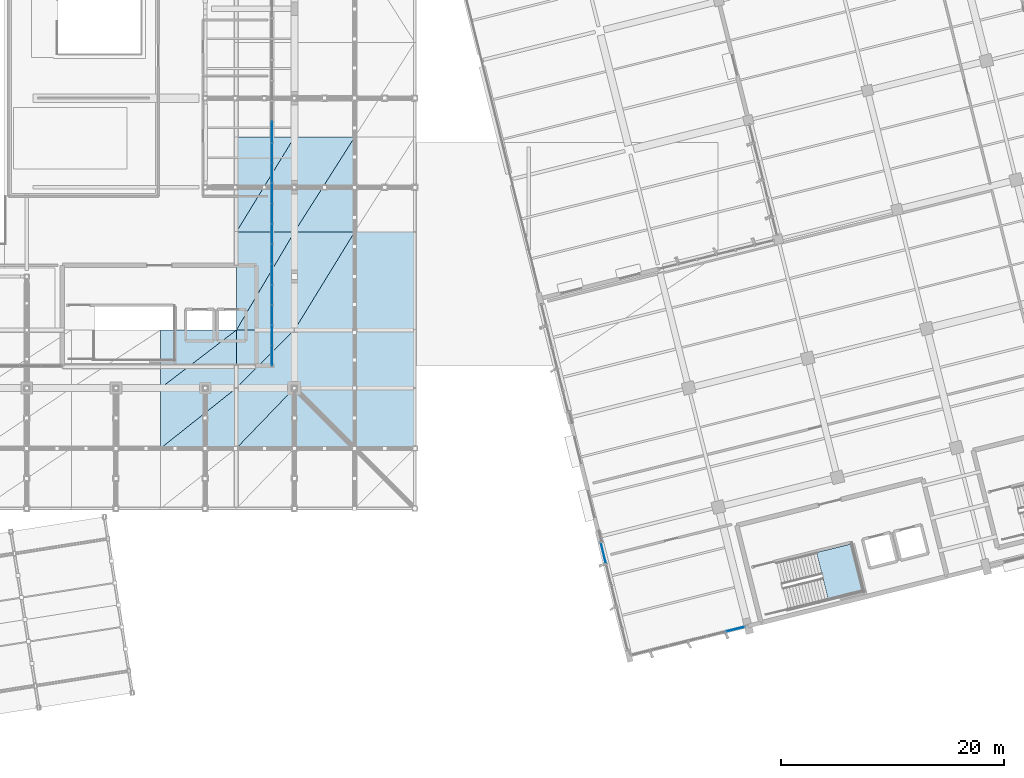
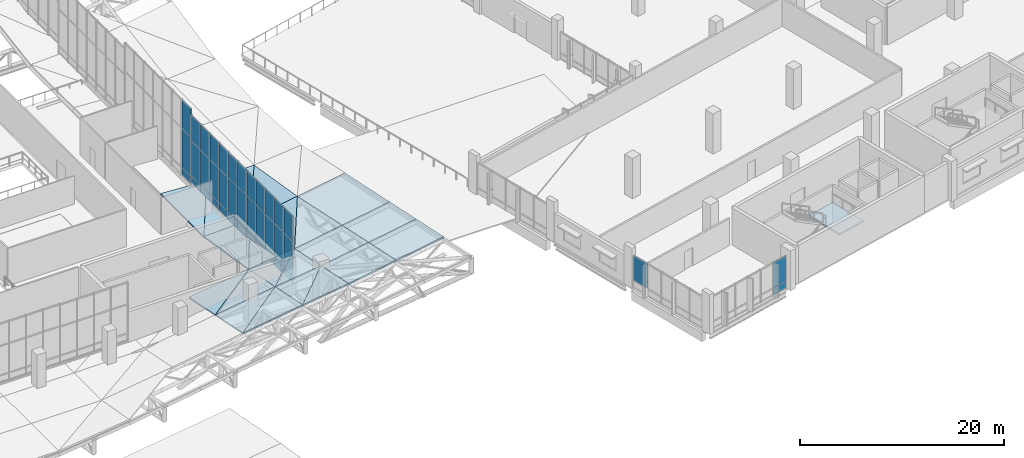
# One storey, part 109 of 137: 39 plates, 22 slabs, 6 elements without a shape of their own.
"""IFC4 building model written with IfcOpenShell, lengths in metres."""

import ifcopenshell
import ifcopenshell.guid

model = None  # the IFC model being written
_history = None  # IfcOwnerHistory: only IFC2X3 demands one
_inside = {}  # id of a spatial element -> (the spatial element, [elements in it])
_under = {}  # id of a project, library or spatial element -> (it, [spatial elements below it])
_declared = {}  # id of a project -> (the project, [libraries it declares])
_typed = {}  # id of a type object -> (the type object, [elements of that type])
_made_of = {}  # id of a material, layer set ... -> (it, [elements and type objects made of it])


def new_model(schema):
    """Start an empty IFC model of exactly this schema.

    Asked for "IFC4X3", IfcOpenShell would pick the latest addendum, in which some entities
    have other attributes; the version numbers below select the first issue.
    IFC2X3 requires an IfcOwnerHistory on every rooted entity: one is made here for all.
    """
    global model, _history
    if schema == "IFC4X3":
        model = ifcopenshell.file(schema_version=(4, 3, 0, 0))
    else:
        model = ifcopenshell.file(schema=schema)
    _inside.clear()
    _under.clear()
    _declared.clear()
    _typed.clear()
    _made_of.clear()
    _history = None
    if model.schema == "IFC2X3":
        org = make("IfcOrganization", Name="unknown")
        user = make(
            "IfcPersonAndOrganization",
            ThePerson=make("IfcPerson", FamilyName="unknown"),
            TheOrganization=org,
        )
        app = make(
            "IfcApplication",
            ApplicationDeveloper=org,
            Version="unknown",
            ApplicationFullName="unknown",
            ApplicationIdentifier="unknown",
        )
        _history = make(
            "IfcOwnerHistory",
            OwningUser=user,
            OwningApplication=app,
            ChangeAction="ADDED",
            CreationDate=0,
        )
    return model


def make(cls, **values):
    """One entity of the class cls with the attributes given. An attribute that is None is left unset."""
    return model.create_entity(
        cls, **{name: value for name, value in values.items() if value is not None}
    )


def rooted(cls, **values):
    """An entity with a GlobalId (a new one), such as an element, a storey or a relation."""
    return make(cls, GlobalId=ifcopenshell.guid.new(), OwnerHistory=_history, **values)


def si_unit(unit_type, name, prefix=None):
    """IfcSIUnit, for example si_unit("LENGTHUNIT", "METRE", prefix="MILLI")."""
    return make("IfcSIUnit", UnitType=unit_type, Prefix=prefix, Name=name)


def assignment(units):
    """IfcUnitAssignment: the units of a project."""
    return None if units is None else make("IfcUnitAssignment", Units=units)


def point(xyz):
    """IfcCartesianPoint."""
    return None if xyz is None else make("IfcCartesianPoint", Coordinates=xyz)


def direction(xyz):
    """IfcDirection."""
    return None if xyz is None else make("IfcDirection", DirectionRatios=xyz)


def frame(location, z_axis=None, x_axis=None):
    """IfcAxis2Placement3D, a coordinate frame: its origin and axes. An axis left out is left unset."""
    return make(
        "IfcAxis2Placement3D",
        Location=point(location),
        Axis=direction(z_axis),
        RefDirection=direction(x_axis),
    )


def frame_2d(location, x_axis=None):
    """IfcAxis2Placement2D, a coordinate frame in the plane: its origin and x axis."""
    return make(
        "IfcAxis2Placement2D", Location=point(location), RefDirection=direction(x_axis)
    )


def origin():
    """The frame at (0, 0, 0) with its axes left unset."""
    return frame((0.0, 0.0, 0.0))


def origin_2d():
    """The frame at (0, 0) in the plane with its x axis left unset."""
    return frame_2d((0.0, 0.0))


def place(relative_to, where):
    """IfcLocalPlacement: puts the frame where relative to a parent placement (None: the world)."""
    return make(
        "IfcLocalPlacement", PlacementRelTo=relative_to, RelativePlacement=where
    )


def context(
    kind, dimensions, precision=None, world=None, true_north=None, identifier=None
):
    """IfcGeometricRepresentationContext, for example the 3D "Model" context."""
    return make(
        "IfcGeometricRepresentationContext",
        ContextIdentifier=identifier,
        ContextType=kind,
        CoordinateSpaceDimension=dimensions,
        Precision=precision,
        WorldCoordinateSystem=world,
        TrueNorth=true_north,
    )


def subcontext(parent, identifier, kind, view, scale=None):
    """IfcGeometricRepresentationSubContext, for example "Body" below "Model"."""
    return make(
        "IfcGeometricRepresentationSubContext",
        ContextIdentifier=identifier,
        ContextType=kind,
        ParentContext=parent,
        TargetScale=scale,
        TargetView=view,
    )


def project(units=None, contexts=None):
    """IfcProject with its units and contexts."""
    return rooted(
        "IfcProject",
        Name="project",
        RepresentationContexts=contexts,
        UnitsInContext=assignment(units),
    )


def spatial(cls, under=None, at=None, **own):
    """A site, building, storey or space (cls), placed at a placement, below another one or the project."""
    s = rooted(cls, ObjectPlacement=at, **own)
    if under is not None:
        _under.setdefault(under.id(), (under, []))[1].append(s)
    return s


def polyline(points):
    """IfcPolyline through the points."""
    return make("IfcPolyline", Points=[point(p) for p in points])


def profile(cls, at=None, kind="AREA", **sizes):
    """A parametric profile (cls). Its sizes go by their IFC names, for example OverallWidth=200.0."""
    return make(cls, ProfileType=kind, Position=at, **sizes)


def rectangle(**sizes):
    """IfcRectangleProfileDef."""
    return profile("IfcRectangleProfileDef", **sizes)


def outline(outer, holes=None, kind="AREA"):
    """IfcArbitraryClosedProfileDef: a profile drawn as a closed curve; with holes, ...WithVoids."""
    if holes is None:
        return make("IfcArbitraryClosedProfileDef", ProfileType=kind, OuterCurve=outer)
    return make(
        "IfcArbitraryProfileDefWithVoids",
        ProfileType=kind,
        OuterCurve=outer,
        InnerCurves=holes,
    )


def extrude(swept, where, along, depth):
    """IfcExtrudedAreaSolid: the profile swept, set in the frame where, extruded along a direction by depth."""
    return make(
        "IfcExtrudedAreaSolid",
        SweptArea=swept,
        Position=where,
        ExtrudedDirection=direction(along),
        Depth=depth,
    )


def shape(context_of_items, identifier, shape_type, items):
    """IfcShapeRepresentation: the items that make up one representation, for example the "Body"."""
    return make(
        "IfcShapeRepresentation",
        ContextOfItems=context_of_items,
        RepresentationIdentifier=identifier,
        RepresentationType=shape_type,
        Items=items,
    )


def material(Name=None, Category=None):
    """IfcMaterial."""
    return make("IfcMaterial", Name=Name, Category=Category)


def layer(
    of_material, thickness, ventilated=None, Name=None, Category=None, Priority=None
):
    """IfcMaterialLayer: one layer of a wall or slab, of a material (None: an air gap)."""
    return make(
        "IfcMaterialLayer",
        Material=of_material,
        LayerThickness=thickness,
        IsVentilated=ventilated,
        Name=Name,
        Category=Category,
        Priority=Priority,
    )


def layer_set(layers, Name=None):
    """IfcMaterialLayerSet."""
    return make("IfcMaterialLayerSet", MaterialLayers=layers, LayerSetName=Name)


def made_of(thing, what):
    """Note that an element or type object is made of a material, layer set ...; save() writes the relation."""
    if what is not None:
        _made_of.setdefault(what.id(), (what, []))[1].append(thing)
    return thing


def type_object(cls, material=None, **own):
    """A type object (cls), such as IfcWallType, which elements share."""
    return made_of(rooted(cls, **own), material)


def element(
    cls,
    number,
    at=None,
    inside=None,
    cuts=None,
    type_object=None,
    material=None,
    context=None,
    identifier="Body",
    shape_type=None,
    held_by="IfcProductDefinitionShape",
    body=None,
    shapes=None,
    **own,
):
    """One element of the class cls, such as IfcWall. Its Tag is "e" and its number.

    at: its placement. inside: the storey or other place that contains it. cuts: it is an
    opening in that element (IfcRelVoidsElement). A single representation is given by context,
    identifier, shape_type and body (its items); several are given by shapes. held_by: the class
    of the entity that holds the representations. save() writes the other relations.
    """
    e = rooted(cls, Tag="e%d" % number, ObjectPlacement=at, **own)
    if body is not None:
        shapes = [shape(context, identifier, shape_type, body)]
    if shapes is not None:
        e.Representation = make(held_by, Representations=shapes)
    if inside is not None:
        _inside.setdefault(inside.id(), (inside, []))[1].append(e)
    if cuts is not None:
        rooted(
            "IfcRelVoidsElement", RelatingBuildingElement=cuts, RelatedOpeningElement=e
        )
    if type_object is not None:
        _typed.setdefault(type_object.id(), (type_object, []))[1].append(e)
    return made_of(e, material)


def aggregate(whole, parts):
    """IfcRelAggregates: a whole, such as a stair, and the parts it consists of."""
    return rooted("IfcRelAggregates", RelatingObject=whole, RelatedObjects=parts)


def save(model, path):
    """Write the relations noted so far, then the file.

    IfcRelAggregates (storeys below a building ...), IfcRelContainedInSpatialStructure (elements
    in a storey), IfcRelDefinesByType, IfcRelAssociatesMaterial and IfcRelDeclares: one each for
    every whole, place, type object, material and project.
    """
    for whole, parts in _under.values():
        aggregate(whole, parts)
    for where, things in _inside.values():
        rooted(
            "IfcRelContainedInSpatialStructure",
            RelatedElements=things,
            RelatingStructure=where,
        )
    for kind, things in _typed.values():
        rooted("IfcRelDefinesByType", RelatedObjects=things, RelatingType=kind)
    for what, things in _made_of.values():
        rooted("IfcRelAssociatesMaterial", RelatedObjects=things, RelatingMaterial=what)
    for by, libraries in _declared.values():
        rooted("IfcRelDeclares", RelatingContext=by, RelatedDefinitions=libraries)
    model.write(path)


model = new_model("IFC4")

# Units and contexts
model_context = context("Model", 3, precision=1e-05, world=origin(), true_north=direction((0.0, 1.0)))
body_context = subcontext(model_context, "Body", "Model", "MODEL_VIEW")
ifc_project = project(units=[si_unit("LENGTHUNIT", "METRE"), si_unit("AREAUNIT", "SQUARE_METRE"), si_unit("VOLUMEUNIT", "CUBIC_METRE"), si_unit("PLANEANGLEUNIT", "RADIAN"), si_unit("MASSUNIT", "GRAM", prefix="KILO")], contexts=[model_context])

# Site, building, storey
site_placement = place(None, origin())
site = spatial("IfcSite", under=ifc_project, at=site_placement, CompositionType="ELEMENT")
building_placement = place(site_placement, origin())
building = spatial("IfcBuilding", under=site, at=building_placement, Name="Khorjan Park Terminus", CompositionType="ELEMENT")
storey_placement = place(building_placement, frame((0.0, 0.0, 11.4)))
storey = spatial("IfcBuildingStorey", under=building, at=storey_placement, Name="L02", CompositionType="ELEMENT", Elevation=11.4)

# Curtain wall, plate
ifc_material_1 = material(Name="Anodized Bronze Aluminium", Category="aluminium")
ifc_layer_1 = layer(ifc_material_1, 0.22)
ifc_layer_set_1 = layer_set([ifc_layer_1], Name="Anodized Bronze Aluminium")
curtain_wall_type_1 = type_object("IfcCurtainWallType", Name="CW-OPS-B", PredefinedType="NOTDEFINED", material=ifc_layer_set_1)
curtain_wall_1_placement = place(storey_placement, origin())
curtain_wall_1 = element("IfcCurtainWall", 1, at=curtain_wall_1_placement, inside=storey, type_object=curtain_wall_type_1, Name="Unitized curtain wall CW-B (CW-V5-W-L02-B03)", PredefinedType="NOTDEFINED")
ifc_material_2 = material(Name="Low-E Solar Control Double Glazing", Category="glass")
ifc_layer_2 = layer(ifc_material_2, 0.032)
ifc_layer_set_2 = layer_set([ifc_layer_2], Name="Low-E Solar Control Double Glazing")
plate_type_1 = type_object("IfcPlateType", Name="GL-VIS-32", PredefinedType="CURTAIN_PANEL", material=ifc_layer_set_2)
plate_1_placement = place(storey_placement, frame((163.7077, 11.1943, 0.85), z_axis=(0.0, 0.0, 1.0), x_axis=(0.24192009683, -0.970296174758, 0.0)))
plate_1 = element("IfcPlate", 2, at=plate_1_placement, type_object=plate_type_1, Name="Curtain-wall panel VP-32 (CW-V5-W-L02-B03-0-2)", PredefinedType="CURTAIN_PANEL", context=body_context, shape_type="SweptSolid", body=[
    extrude(rectangle(XDim=1.9879, YDim=0.032, at=origin_2d()), origin(), (0.0, 0.0, 1.0), 3.025),
])
aggregate(curtain_wall_1, [plate_1])

# Curtain wall, plates
ifc_layer_3 = layer(ifc_material_1, 0.22)
ifc_layer_set_3 = layer_set([ifc_layer_3], Name="Anodized Bronze Aluminium")
curtain_wall_type_2 = type_object("IfcCurtainWallType", Name="CW-CONC-CLR", PredefinedType="NOTDEFINED", material=ifc_layer_set_3)
curtain_wall_2_placement = place(storey_placement, origin())
curtain_wall_2 = element("IfcCurtainWall", 3, at=curtain_wall_2_placement, inside=storey, type_object=curtain_wall_type_2, Name="Unitized curtain wall CW-CL (CW-V2-E-CLR-01)", PredefinedType="NOTDEFINED")
ifc_material_3 = material(Name="Acoustic Laminated Solar Glazing", Category="glass")
ifc_layer_4 = layer(ifc_material_3, 0.036)
ifc_layer_set_4 = layer_set([ifc_layer_4], Name="Acoustic Laminated Solar Glazing")
plate_type_2 = type_object("IfcPlateType", Name="GL-VIS-36", PredefinedType="CURTAIN_PANEL", material=ifc_layer_set_4)
plate_2_placement = place(storey_placement, frame((134.0, 28.9091, 2.0121), z_axis=(0.0, 0.0, 1.0), x_axis=(0.0, 1.0, 0.0)))
plate_2 = element("IfcPlate", 4, at=plate_2_placement, type_object=plate_type_2, Name="Curtain-wall panel VP-36 (CW-V2-E-CLR-01-0-2)", PredefinedType="CURTAIN_PANEL", context=body_context, shape_type="SweptSolid", body=[
    extrude(rectangle(XDim=1.8182, YDim=0.036, at=origin_2d()), origin(), (0.0, 0.0, 1.0), 4.1703),
])
plate_3_placement = place(storey_placement, frame((134.0, 28.9091, 6.1824), z_axis=(0.0, 0.0, 1.0), x_axis=(0.0, 1.0, 0.0)))
plate_3 = element("IfcPlate", 5, at=plate_3_placement, type_object=plate_type_2, Name="Curtain-wall panel VP-36 (CW-V2-E-CLR-01-0-3)", PredefinedType="CURTAIN_PANEL", context=body_context, shape_type="SweptSolid", body=[
    extrude(rectangle(XDim=1.8182, YDim=0.036, at=origin_2d()), origin(), (0.0, 0.0, 1.0), 3.087),
])
plate_4_placement = place(storey_placement, frame((134.0, 30.7273, 2.0121), z_axis=(0.0, 0.0, 1.0), x_axis=(0.0, 1.0, 0.0)))
plate_4 = element("IfcPlate", 6, at=plate_4_placement, type_object=plate_type_2, Name="Curtain-wall panel VP-36 (CW-V2-E-CLR-01-1-2)", PredefinedType="CURTAIN_PANEL", context=body_context, shape_type="SweptSolid", body=[
    extrude(rectangle(XDim=1.8182, YDim=0.036, at=origin_2d()), origin(), (0.0, 0.0, 1.0), 4.1703),
])
plate_5_placement = place(storey_placement, frame((134.0, 30.7273, 6.1824), z_axis=(0.0, 0.0, 1.0), x_axis=(0.0, 1.0, 0.0)))
plate_5 = element("IfcPlate", 7, at=plate_5_placement, type_object=plate_type_2, Name="Curtain-wall panel VP-36 (CW-V2-E-CLR-01-1-3)", PredefinedType="CURTAIN_PANEL", context=body_context, shape_type="SweptSolid", body=[
    extrude(rectangle(XDim=1.8182, YDim=0.036, at=origin_2d()), origin(), (0.0, 0.0, 1.0), 3.087),
])
plate_6_placement = place(storey_placement, frame((134.0, 32.5455, 2.0121), z_axis=(0.0, 0.0, 1.0), x_axis=(0.0, 1.0, 0.0)))
plate_6 = element("IfcPlate", 8, at=plate_6_placement, type_object=plate_type_2, Name="Curtain-wall panel VP-36 (CW-V2-E-CLR-01-2-2)", PredefinedType="CURTAIN_PANEL", context=body_context, shape_type="SweptSolid", body=[
    extrude(rectangle(XDim=1.8182, YDim=0.036, at=origin_2d()), origin(), (0.0, 0.0, 1.0), 4.1703),
])
plate_7_placement = place(storey_placement, frame((134.0, 32.5455, 6.1824), z_axis=(0.0, 0.0, 1.0), x_axis=(0.0, 1.0, 0.0)))
plate_7 = element("IfcPlate", 9, at=plate_7_placement, type_object=plate_type_2, Name="Curtain-wall panel VP-36 (CW-V2-E-CLR-01-2-3)", PredefinedType="CURTAIN_PANEL", context=body_context, shape_type="SweptSolid", body=[
    extrude(rectangle(XDim=1.8182, YDim=0.036, at=origin_2d()), origin(), (0.0, 0.0, 1.0), 3.087),
])
plate_8_placement = place(storey_placement, frame((134.0, 34.3636, 2.0121), z_axis=(0.0, 0.0, 1.0), x_axis=(0.0, 1.0, 0.0)))
plate_8 = element("IfcPlate", 10, at=plate_8_placement, type_object=plate_type_2, Name="Curtain-wall panel VP-36 (CW-V2-E-CLR-01-3-2)", PredefinedType="CURTAIN_PANEL", context=body_context, shape_type="SweptSolid", body=[
    extrude(rectangle(XDim=1.8182, YDim=0.036, at=origin_2d()), origin(), (0.0, 0.0, 1.0), 4.1703),
])
plate_9_placement = place(storey_placement, frame((134.0, 34.3636, 6.1824), z_axis=(0.0, 0.0, 1.0), x_axis=(0.0, 1.0, 0.0)))
plate_9 = element("IfcPlate", 11, at=plate_9_placement, type_object=plate_type_2, Name="Curtain-wall panel VP-36 (CW-V2-E-CLR-01-3-3)", PredefinedType="CURTAIN_PANEL", context=body_context, shape_type="SweptSolid", body=[
    extrude(rectangle(XDim=1.8182, YDim=0.036, at=origin_2d()), origin(), (0.0, 0.0, 1.0), 3.087),
])
plate_10_placement = place(storey_placement, frame((134.0, 36.1818, 2.0121), z_axis=(0.0, 0.0, 1.0), x_axis=(0.0, 1.0, 0.0)))
plate_10 = element("IfcPlate", 12, at=plate_10_placement, type_object=plate_type_2, Name="Curtain-wall panel VP-36 (CW-V2-E-CLR-01-4-2)", PredefinedType="CURTAIN_PANEL", context=body_context, shape_type="SweptSolid", body=[
    extrude(rectangle(XDim=1.8182, YDim=0.036, at=origin_2d()), origin(), (0.0, 0.0, 1.0), 4.1703),
])
plate_11_placement = place(storey_placement, frame((134.0, 36.1818, 6.1824), z_axis=(0.0, 0.0, 1.0), x_axis=(0.0, 1.0, 0.0)))
plate_11 = element("IfcPlate", 13, at=plate_11_placement, type_object=plate_type_2, Name="Curtain-wall panel VP-36 (CW-V2-E-CLR-01-4-3)", PredefinedType="CURTAIN_PANEL", context=body_context, shape_type="SweptSolid", body=[
    extrude(rectangle(XDim=1.8182, YDim=0.036, at=origin_2d()), origin(), (0.0, 0.0, 1.0), 3.087),
])
plate_12_placement = place(storey_placement, frame((134.0, 38.0, 2.0121), z_axis=(0.0, 0.0, 1.0), x_axis=(0.0, 1.0, 0.0)))
plate_12 = element("IfcPlate", 14, at=plate_12_placement, type_object=plate_type_2, Name="Curtain-wall panel VP-36 (CW-V2-E-CLR-01-5-2)", PredefinedType="CURTAIN_PANEL", context=body_context, shape_type="SweptSolid", body=[
    extrude(rectangle(XDim=1.8182, YDim=0.036, at=origin_2d()), origin(), (0.0, 0.0, 1.0), 4.1703),
])
plate_13_placement = place(storey_placement, frame((134.0, 38.0, 6.1824), z_axis=(0.0, 0.0, 1.0), x_axis=(0.0, 1.0, 0.0)))
plate_13 = element("IfcPlate", 15, at=plate_13_placement, type_object=plate_type_2, Name="Curtain-wall panel VP-36 (CW-V2-E-CLR-01-5-3)", PredefinedType="CURTAIN_PANEL", context=body_context, shape_type="SweptSolid", body=[
    extrude(rectangle(XDim=1.8182, YDim=0.036, at=origin_2d()), origin(), (0.0, 0.0, 1.0), 3.087),
])
plate_14_placement = place(storey_placement, frame((134.0, 39.8182, 2.0121), z_axis=(0.0, 0.0, 1.0), x_axis=(0.0, 1.0, 0.0)))
plate_14 = element("IfcPlate", 16, at=plate_14_placement, type_object=plate_type_2, Name="Curtain-wall panel VP-36 (CW-V2-E-CLR-01-6-2)", PredefinedType="CURTAIN_PANEL", context=body_context, shape_type="SweptSolid", body=[
    extrude(rectangle(XDim=1.8182, YDim=0.036, at=origin_2d()), origin(), (0.0, 0.0, 1.0), 4.1703),
])
plate_15_placement = place(storey_placement, frame((134.0, 39.8182, 6.1824), z_axis=(0.0, 0.0, 1.0), x_axis=(0.0, 1.0, 0.0)))
plate_15 = element("IfcPlate", 17, at=plate_15_placement, type_object=plate_type_2, Name="Curtain-wall panel VP-36 (CW-V2-E-CLR-01-6-3)", PredefinedType="CURTAIN_PANEL", context=body_context, shape_type="SweptSolid", body=[
    extrude(rectangle(XDim=1.8182, YDim=0.036, at=origin_2d()), origin(), (0.0, 0.0, 1.0), 3.087),
])
plate_16_placement = place(storey_placement, frame((134.0, 41.6364, 2.0121), z_axis=(0.0, 0.0, 1.0), x_axis=(0.0, 1.0, 0.0)))
plate_16 = element("IfcPlate", 18, at=plate_16_placement, type_object=plate_type_2, Name="Curtain-wall panel VP-36 (CW-V2-E-CLR-01-7-2)", PredefinedType="CURTAIN_PANEL", context=body_context, shape_type="SweptSolid", body=[
    extrude(rectangle(XDim=1.8182, YDim=0.036, at=origin_2d()), origin(), (0.0, 0.0, 1.0), 4.1703),
])
plate_17_placement = place(storey_placement, frame((134.0, 41.6364, 6.1824), z_axis=(0.0, 0.0, 1.0), x_axis=(0.0, 1.0, 0.0)))
plate_17 = element("IfcPlate", 19, at=plate_17_placement, type_object=plate_type_2, Name="Curtain-wall panel VP-36 (CW-V2-E-CLR-01-7-3)", PredefinedType="CURTAIN_PANEL", context=body_context, shape_type="SweptSolid", body=[
    extrude(rectangle(XDim=1.8182, YDim=0.036, at=origin_2d()), origin(), (0.0, 0.0, 1.0), 3.087),
])
plate_18_placement = place(storey_placement, frame((134.0, 43.4545, 2.0121), z_axis=(0.0, 0.0, 1.0), x_axis=(0.0, 1.0, 0.0)))
plate_18 = element("IfcPlate", 20, at=plate_18_placement, type_object=plate_type_2, Name="Curtain-wall panel VP-36 (CW-V2-E-CLR-01-8-2)", PredefinedType="CURTAIN_PANEL", context=body_context, shape_type="SweptSolid", body=[
    extrude(rectangle(XDim=1.8182, YDim=0.036, at=origin_2d()), origin(), (0.0, 0.0, 1.0), 4.1703),
])
plate_19_placement = place(storey_placement, frame((134.0, 43.4545, 6.1824), z_axis=(0.0, 0.0, 1.0), x_axis=(0.0, 1.0, 0.0)))
plate_19 = element("IfcPlate", 21, at=plate_19_placement, type_object=plate_type_2, Name="Curtain-wall panel VP-36 (CW-V2-E-CLR-01-8-3)", PredefinedType="CURTAIN_PANEL", context=body_context, shape_type="SweptSolid", body=[
    extrude(rectangle(XDim=1.8182, YDim=0.036, at=origin_2d()), origin(), (0.0, 0.0, 1.0), 3.087),
])
plate_20_placement = place(storey_placement, frame((134.0, 45.2727, 2.0121), z_axis=(0.0, 0.0, 1.0), x_axis=(0.0, 1.0, 0.0)))
plate_20 = element("IfcPlate", 22, at=plate_20_placement, type_object=plate_type_2, Name="Curtain-wall panel VP-36 (CW-V2-E-CLR-01-9-2)", PredefinedType="CURTAIN_PANEL", context=body_context, shape_type="SweptSolid", body=[
    extrude(rectangle(XDim=1.8182, YDim=0.036, at=origin_2d()), origin(), (0.0, 0.0, 1.0), 4.1703),
])
plate_21_placement = place(storey_placement, frame((134.0, 45.2727, 6.1824), z_axis=(0.0, 0.0, 1.0), x_axis=(0.0, 1.0, 0.0)))
plate_21 = element("IfcPlate", 23, at=plate_21_placement, type_object=plate_type_2, Name="Curtain-wall panel VP-36 (CW-V2-E-CLR-01-9-3)", PredefinedType="CURTAIN_PANEL", context=body_context, shape_type="SweptSolid", body=[
    extrude(rectangle(XDim=1.8182, YDim=0.036, at=origin_2d()), origin(), (0.0, 0.0, 1.0), 3.087),
])
plate_22_placement = place(storey_placement, frame((134.0, 47.0909, 2.0121), z_axis=(0.0, 0.0, 1.0), x_axis=(0.0, 1.0, 0.0)))
plate_22 = element("IfcPlate", 24, at=plate_22_placement, type_object=plate_type_2, Name="Curtain-wall panel VP-36 (CW-V2-E-CLR-01-10-2)", PredefinedType="CURTAIN_PANEL", context=body_context, shape_type="SweptSolid", body=[
    extrude(rectangle(XDim=1.8182, YDim=0.036, at=origin_2d()), origin(), (0.0, 0.0, 1.0), 4.1703),
])
plate_23_placement = place(storey_placement, frame((134.0, 47.0909, 6.1824), z_axis=(0.0, 0.0, 1.0), x_axis=(0.0, 1.0, 0.0)))
plate_23 = element("IfcPlate", 25, at=plate_23_placement, type_object=plate_type_2, Name="Curtain-wall panel VP-36 (CW-V2-E-CLR-01-10-3)", PredefinedType="CURTAIN_PANEL", context=body_context, shape_type="SweptSolid", body=[
    extrude(rectangle(XDim=1.8182, YDim=0.036, at=origin_2d()), origin(), (0.0, 0.0, 1.0), 3.087),
])

curtain_wall_3_placement = place(storey_placement, origin())
curtain_wall_3 = element("IfcCurtainWall", 26, at=curtain_wall_3_placement, inside=storey, type_object=curtain_wall_type_2, Name="Unitized curtain wall CW-CL (CW-V2-E-CLR-02)", PredefinedType="NOTDEFINED")
plate_24_placement = place(storey_placement, frame((134.0, 48.9286, 1.8), z_axis=(0.0, 0.0, 1.0), x_axis=(0.0, 1.0, 0.0)))
plate_24 = element("IfcPlate", 27, at=plate_24_placement, type_object=plate_type_2, Name="Curtain-wall panel VP-36 (CW-V2-E-CLR-02-0-2)", PredefinedType="CURTAIN_PANEL", context=body_context, shape_type="SweptSolid", body=[
    extrude(rectangle(XDim=1.8571, YDim=0.036, at=origin_2d()), origin(), (0.0, 0.0, 1.0), 4.7702),
])
plate_25_placement = place(storey_placement, frame((134.0, 48.9286, 6.5702), z_axis=(0.0, 0.0, 1.0), x_axis=(0.0, 1.0, 0.0)))
plate_25 = element("IfcPlate", 28, at=plate_25_placement, type_object=plate_type_2, Name="Curtain-wall panel VP-36 (CW-V2-E-CLR-02-0-3)", PredefinedType="CURTAIN_PANEL", context=body_context, shape_type="SweptSolid", body=[
    extrude(rectangle(XDim=1.8571, YDim=0.036, at=origin_2d()), origin(), (0.0, 0.0, 1.0), 3.4546),
])

# Curtain wall, plate
curtain_wall_4_placement = place(storey_placement, origin())
curtain_wall_4 = element("IfcCurtainWall", 29, at=curtain_wall_4_placement, inside=storey, type_object=curtain_wall_type_1, Name="Unitized curtain wall CW-B (CW-V5-S-L02-B01)", PredefinedType="NOTDEFINED")
plate_26_placement = place(storey_placement, frame((175.5086, 4.3708, 0.85), z_axis=(0.0, 0.0, 1.0), x_axis=(0.970295567478, 0.241922532503, 0.0)))
plate_26 = element("IfcPlate", 30, at=plate_26_placement, type_object=plate_type_2, Name="Curtain-wall panel VP-36 (CW-V5-S-L02-B01-5-2)", PredefinedType="CURTAIN_PANEL", context=body_context, shape_type="SweptSolid", body=[
    extrude(rectangle(XDim=1.74, YDim=0.036, at=origin_2d()), origin(), (0.0, 0.0, 1.0), 3.075),
])

# Stair, slab
ifc_material_4 = material(Name="Concrete C40/50", Category="concrete")
stair_type = type_object("IfcStairType", Name="STR-CORE-200", PredefinedType="HALF_TURN_STAIR", material=ifc_material_4)
stair_placement = place(storey_placement, origin())
stair = element("IfcStair", 31, at=stair_placement, inside=storey, type_object=stair_type, Name="L02 Operations West Firefighting Core exit stair ST-03", PredefinedType="HALF_TURN_STAIR")
ifc_layer_5 = layer(ifc_material_4, 0.2)
ifc_layer_set_5 = layer_set([ifc_layer_5], Name="Concrete C40/50")
slab_type_1 = type_object("IfcSlabType", Name="SL-LND-200", PredefinedType="LANDING", material=ifc_layer_set_5)
slab_1_placement = place(storey_placement, frame((0.0, 0.0, 2.2)))
slab_1 = element("IfcSlab", 32, at=slab_1_placement, type_object=slab_type_1, Name="ST-03 landing 1", PredefinedType="LANDING", context=body_context, shape_type="SweptSolid", body=[
    extrude(outline(polyline([(183.8659, 7.0213), (187.0194, 7.8075), (185.9646, 12.038), (182.8111, 11.2517), (183.8659, 7.0213)])), origin(), (0.0, 0.0, 1.0), 0.2),
])
aggregate(stair, [slab_1])

# Roof, slabs
ifc_material_5 = material(Name="Concrete C50/60", Category="concrete")
ifc_layer_6 = layer(ifc_material_5, 0.16)
ifc_layer_set_6 = layer_set([ifc_layer_6], Name="Concrete C50/60")
roof_type = type_object("IfcRoofType", Name="RF-SHELL-LOWER", PredefinedType="FREEFORM", material=ifc_layer_set_6)
roof_placement = place(storey_placement, origin())
roof = element("IfcRoof", 33, at=roof_placement, inside=storey, type_object=roof_type, Name="Lower 4-sided wrapping folded concrete shell roof RF-CS2 (4)", PredefinedType="FREEFORM")
ifc_layer_7 = layer(ifc_material_5, 0.16)
ifc_layer_set_7 = layer_set([ifc_layer_7], Name="Concrete C50/60")
slab_type_2 = type_object("IfcSlabType", Name="SL-SHL-160", PredefinedType="ROOF", material=ifc_layer_set_7)
slab_2_placement = place(storey_placement, frame((124.0, 20.6, 3.2229), z_axis=(-0.146217976754, 0.19780388759, 0.969274948262), x_axis=(0.98881228291, 0.0, 0.149165241148)))
slab_2 = element("IfcSlab", 34, at=slab_2_placement, type_object=slab_type_2, Name="Lower 4-sided wrapping folded concrete shell facet RS-16 (139)", PredefinedType="ROOF", context=body_context, shape_type="SweptSolid", body=[
    extrude(outline(polyline([(0.0, 0.0), (6.876937228156162, 0.0), (6.712557132410677, 5.508845903101911), (0.0, 0.0)])), origin(), (0.0, 0.0, -1.0), 0.16),
])
slab_3_placement = place(storey_placement, frame((124.0, 20.6, 3.2229), z_axis=(-0.143662230538, 0.19460007699, 0.970305093026), x_axis=(0.783080696149, 0.621858199883, -0.008775110154)))
slab_3 = element("IfcSlab", 35, at=slab_3_placement, type_object=slab_type_2, Name="Lower 4-sided wrapping folded concrete shell facet RS-16 (140)", PredefinedType="ROOF", context=body_context, shape_type="SweptSolid", body=[
    extrude(outline(polyline([(0.0, 0.0), (8.683651676570182, -5.828670879282072e-16), (3.367537723663051, 4.358047576576725), (0.0, 0.0)])), origin(), (0.0, 0.0, -1.0), 0.16),
])
slab_4_placement = place(storey_placement, frame((124.0, 26.0, 2.1399), z_axis=(-0.143565966375, 0.197884192093, 0.969654917906), x_axis=(0.989216268008, 0.0, 0.146462196857)))
slab_4 = element("IfcSlab", 36, at=slab_4_placement, type_object=slab_type_2, Name="Lower 4-sided wrapping folded concrete shell facet RS-16 (141)", PredefinedType="ROOF", context=body_context, shape_type="SweptSolid", body=[
    extrude(outline(polyline([(0.0, 0.0), (6.874128762250542, -5.551115123125783e-17), (6.718703078945445, 5.304902289106666), (0.0, 0.0)])), origin(), (0.0, 0.0, -1.0), 0.16),
])
slab_5_placement = place(storey_placement, frame((124.0, 26.0, 2.1399), z_axis=(-0.141103373519, 0.194674451587, 0.97066559426), x_axis=(0.794341793679, 0.607437842225, -0.006354734349)))
slab_5 = element("IfcSlab", 37, at=slab_5_placement, type_object=slab_type_2, Name="Lower 4-sided wrapping folded concrete shell facet RS-16 (142)", PredefinedType="ROOF", context=body_context, shape_type="SweptSolid", body=[
    extrude(outline(polyline([(0.0, 0.0), (8.56054667413245, -1.5265566588595902e-16), (3.1653041320221593, 4.255407167569684), (0.0, 0.0)])), origin(), (0.0, 0.0, -1.0), 0.16),
])
slab_6_placement = place(storey_placement, frame((130.8, 20.6, 4.2487), z_axis=(-0.136559457801, 0.205722637827, 0.969035453825), x_axis=(0.990215834494, 0.0, 0.139544262215)))
slab_6 = element("IfcSlab", 38, at=slab_6_placement, type_object=slab_type_2, Name="Lower 4-sided wrapping folded concrete shell facet RS-16 (151)", PredefinedType="ROOF", context=body_context, shape_type="SweptSolid", body=[
    extrude(outline(polyline([(0.0, 0.0), (5.251380374720525, 0.0), (5.091406832517404, 5.518028762682827), (0.0, 0.0)])), origin(), (0.0, 0.0, -1.0), 0.16),
])
slab_7_placement = place(storey_placement, frame((130.8, 20.6, 4.2487), z_axis=(-0.128633560246, 0.198291732205, 0.971665475417), x_axis=(0.692588416697, 0.719226432724, -0.055087417143)))
slab_7 = element("IfcSlab", 39, at=slab_7_placement, type_object=slab_type_2, Name="Lower 4-sided wrapping folded concrete shell facet RS-16 (152)", PredefinedType="ROOF", context=body_context, shape_type="SweptSolid", body=[
    extrude(outline(polyline([(0.0, 0.0), (7.508066659267209, 4.0245584642661925e-16), (3.944529070402593, 3.849038115263194), (0.0, 0.0)])), origin(), (0.0, 0.0, -1.0), 0.16),
])
slab_8_placement = place(storey_placement, frame((130.8, 26.0, 3.1467), z_axis=(-0.128426377093, 0.205941135492, 0.970100466127), x_axis=(0.991350681142, 0.0, 0.131239578634)))
slab_8 = element("IfcSlab", 40, at=slab_8_placement, type_object=slab_type_2, Name="Lower 4-sided wrapping folded concrete shell facet RS-16 (153)", PredefinedType="ROOF", context=body_context, shape_type="SweptSolid", body=[
    extrude(outline(polyline([(0.0, 0.0), (5.245368867868101, 2.7755575615628914e-17), (5.1004934970138, 5.313906880715903), (0.0, 0.0)])), origin(), (0.0, 0.0, -1.0), 0.16),
])
slab_9_placement = place(storey_placement, frame((130.8, 26.0, 3.1467), z_axis=(-0.120774798087, 0.198491893651, 0.97263272426), x_axis=(0.705980823434, 0.705980823434, -0.056410583103)))
slab_9 = element("IfcSlab", 41, at=slab_9_placement, type_object=slab_type_2, Name="Lower 4-sided wrapping folded concrete shell facet RS-16 (154)", PredefinedType="ROOF", context=body_context, shape_type="SweptSolid", body=[
    extrude(outline(polyline([(0.0, 0.0), (7.365639160996137, -5.412337245047638e-16), (3.7309631926475535, 3.774395195936585), (0.0, 0.0)])), origin(), (0.0, 0.0, -1.0), 0.16),
])
slab_10_placement = place(storey_placement, frame((130.8, 31.2, 2.0855), z_axis=(-0.120580057686, 0.20614152892, 0.971064426155), x_axis=(0.992378547218, 0.0, 0.123226697681)))
slab_10 = element("IfcSlab", 42, at=slab_10_placement, type_object=slab_type_2, Name="Lower 4-sided wrapping folded concrete shell facet RS-16 (155)", PredefinedType="ROOF", context=body_context, shape_type="SweptSolid", body=[
    extrude(outline(polyline([(0.0, 0.0), (5.239935924226544, 0.0), (5.00973613028955, 8.993153265950236), (0.0, 0.0)])), origin(), (0.0, 0.0, -1.0), 0.16),
])
slab_11_placement = place(storey_placement, frame((130.8, 31.2, 2.0855), z_axis=(-0.039658612893, 0.160433667371, 0.986249579365), x_axis=(0.505129978359, 0.854835347993, -0.118744401067)))
slab_11 = element("IfcSlab", 43, at=slab_11_placement, type_object=slab_type_2, Name="Lower 4-sided wrapping folded concrete shell facet RS-16 (156)", PredefinedType="ROOF", context=body_context, shape_type="SweptSolid", body=[
    extrude(outline(polyline([(0.0, 0.0), (10.294380105669301, -1.0269562977782698e-15), (7.692533672463553, 4.507118585972018), (0.0, 0.0)])), origin(), (0.0, 0.0, -1.0), 0.16),
])
slab_12_placement = place(storey_placement, frame((130.8, 40.0, 0.654), z_axis=(-0.040108986249, 0.059037286469, 0.997449681953), x_axis=(0.999192495237, 0.0, 0.040179067453)))
slab_12 = element("IfcSlab", 44, at=slab_12_placement, type_object=slab_type_2, Name="Lower 4-sided wrapping folded concrete shell facet RS-16 (157)", PredefinedType="ROOF", context=body_context, shape_type="SweptSolid", body=[
    extrude(outline(polyline([(0.0, 0.0), (5.204202418238542, 0.0), (5.18398832940308, 8.514851789703245), (0.0, 0.0)])), origin(), (0.0, 0.0, -1.0), 0.16),
])
slab_13_placement = place(storey_placement, frame((130.8, 40.0, 0.654), z_axis=(0.056448312253, 0.0, 0.998405522843), x_axis=(0.521628888241, 0.852662605779, -0.029492094835)))
slab_13 = element("IfcSlab", 45, at=slab_13_placement, type_object=slab_type_2, Name="Lower 4-sided wrapping folded concrete shell facet RS-16 (158)", PredefinedType="ROOF", context=body_context, shape_type="SweptSolid", body=[
    extrude(outline(polyline([(0.0, 0.0), (9.968773043860507, 2.393918396847994e-16), (7.247632149123587, 4.440926505920835), (0.0, 0.0)])), origin(), (0.0, 0.0, -1.0), 0.16),
])
slab_14_placement = place(storey_placement, frame((136.0, 20.6, 4.9815), z_axis=(-0.163710777019, 0.204866318933, 0.965001851218), x_axis=(0.985913104802, 0.0, 0.167258332465)))
slab_14 = element("IfcSlab", 46, at=slab_14_placement, type_object=slab_type_2, Name="Lower 4-sided wrapping folded concrete shell facet RS-16 (172)", PredefinedType="ROOF", context=body_context, shape_type="SweptSolid", body=[
    extrude(outline(polyline([(0.0, 0.0), (5.477156124303931, 0.0), (5.285411171966377, 5.517016116820129), (-0.19174495233755412, 5.5170161168201295), (0.0, 0.0)])), origin(), (0.0, 0.0, -1.0), 0.16),
])
slab_15_placement = place(storey_placement, frame((136.0, 26.0, 3.8351), z_axis=(-0.163711030587, 0.204859075678, 0.965003345889), x_axis=(0.985913104802, 0.0, 0.167258332465)))
slab_15 = element("IfcSlab", 47, at=slab_15_placement, type_object=slab_type_2, Name="Lower 4-sided wrapping folded concrete shell facet RS-16 (173)", PredefinedType="ROOF", context=body_context, shape_type="SweptSolid", body=[
    extrude(outline(polyline([(0.0, 0.0), (5.477156124303931, 0.0), (5.292519651096127, 5.312673957882356), (-0.1846364732078035, 5.312673957882357), (0.0, 0.0)])), origin(), (0.0, 0.0, -1.0), 0.16),
])
slab_16_placement = place(storey_placement, frame((136.0, 31.2, 2.7312), z_axis=(-0.163710804262, 0.204865540733, 0.965002011805), x_axis=(0.985913104802, 0.0, 0.167258332465)))
slab_16 = element("IfcSlab", 48, at=slab_16_placement, type_object=slab_type_2, Name="Lower 4-sided wrapping folded concrete shell facet RS-16 (174)", PredefinedType="ROOF", context=body_context, shape_type="SweptSolid", body=[
    extrude(outline(polyline([(0.0, 0.0), (5.477156124303931, 0.0), (5.1646841075933425, 8.990691434966104), (0.0, 0.0)])), origin(), (0.0, 0.0, -1.0), 0.16),
])
slab_17_placement = place(storey_placement, frame((136.0, 31.2, 2.7312), z_axis=(-0.163693780464, 0.204855634297, 0.965007002738), x_axis=(0.520806516409, 0.848721730445, -0.091825904495)))
slab_17 = element("IfcSlab", 49, at=slab_17_placement, type_object=slab_type_2, Name="Lower 4-sided wrapping folded concrete shell facet RS-16 (175)", PredefinedType="ROOF", context=body_context, shape_type="SweptSolid", body=[
    extrude(outline(polyline([(0.0, 0.0), (10.36853386019451, 9.159339953157541e-16), (7.6402912001016405, 4.749289208676331), (0.0, 0.0)])), origin(), (0.0, 0.0, -1.0), 0.16),
])
slab_18_placement = place(storey_placement, frame((136.0, 40.0, 0.8631), z_axis=(-0.165020025459, 0.162416074736, 0.972825477598), x_axis=(0.985916115378, 0.0, 0.167240585497)))
slab_18 = element("IfcSlab", 50, at=slab_18_placement, type_object=slab_type_2, Name="Lower 4-sided wrapping folded concrete shell facet RS-16 (176)", PredefinedType="ROOF", context=body_context, shape_type="SweptSolid", body=[
    extrude(outline(polyline([(0.0, 0.0), (5.477139399358032, 0.0), (5.2398082844785465, 8.614378605094512), (0.0, 0.0)])), origin(), (0.0, 0.0, -1.0), 0.16),
])
slab_19_placement = place(storey_placement, frame((136.0, 40.0, 0.8631), z_axis=(0.0, 0.059084831392, 0.998252965285), x_axis=(0.535564849079, 0.843018743921, -0.049896791773)))
slab_19 = element("IfcSlab", 51, at=slab_19_placement, type_object=slab_type_2, Name="Lower 4-sided wrapping folded concrete shell facet RS-16 (177)", PredefinedType="ROOF", context=body_context, shape_type="SweptSolid", body=[
    extrude(outline(polyline([(0.0, 0.0), (10.08281258429413, -1.1102230246251565e-15), (7.190762399267164, 4.560268163966407), (0.0, 0.0)])), origin(), (0.0, 0.0, -1.0), 0.16),
])
slab_20_placement = place(storey_placement, frame((141.4, 20.6, 5.8976), z_axis=(-0.163702380927, 0.204858058376, 0.965005029208), x_axis=(0.985914673299, 1.804674e-06, 0.167249086609)))
slab_20 = element("IfcSlab", 52, at=slab_20_placement, type_object=slab_type_2, Name="Lower 4-sided wrapping folded concrete shell facet RS-16 (189)", PredefinedType="ROOF", context=body_context, shape_type="SweptSolid", body=[
    extrude(outline(polyline([(0.0, 0.0), (5.477139399145504, 0.0), (5.28543151640735, 5.516996626369092), (-0.19172460764681562, 5.517016823655205), (0.0, 0.0)])), origin(), (0.0, 0.0, -1.0), 0.16),
])
slab_21_placement = place(storey_placement, frame((141.4, 26.0, 4.7512), z_axis=(-0.163711030587, 0.204859075678, 0.965003345889), x_axis=(0.985913104802, 0.0, 0.167258332465)))
slab_21 = element("IfcSlab", 53, at=slab_21_placement, type_object=slab_type_2, Name="Lower 4-sided wrapping folded concrete shell facet RS-16 (190)", PredefinedType="ROOF", context=body_context, shape_type="SweptSolid", body=[
    extrude(outline(polyline([(0.0, 0.0), (5.4771561243039315, 2.7755575615628914e-17), (5.292519651096128, 5.312673957882356), (-0.1846364732078035, 5.312673957882357), (0.0, 0.0)])), origin(), (0.0, 0.0, -1.0), 0.16),
])
slab_22_placement = place(storey_placement, frame((141.4, 31.2, 3.6473), z_axis=(-0.163710804262, 0.204865540733, 0.965002011805), x_axis=(0.985913104802, 0.0, 0.167258332465)))
slab_22 = element("IfcSlab", 54, at=slab_22_placement, type_object=slab_type_2, Name="Lower 4-sided wrapping folded concrete shell facet RS-16 (191)", PredefinedType="ROOF", context=body_context, shape_type="SweptSolid", body=[
    extrude(outline(polyline([(0.0, 0.0), (5.477156124303931, 0.0), (5.164684107593342, 8.9906914349661), (-0.31247201671058844, 8.9906914349661), (0.0, 0.0)])), origin(), (0.0, 0.0, -1.0), 0.16),
])
aggregate(roof, [slab_2, slab_3, slab_4, slab_5, slab_6, slab_7, slab_8, slab_9, slab_10, slab_11, slab_12, slab_13, slab_14, slab_15, slab_16, slab_17, slab_18, slab_19, slab_20, slab_21, slab_22])

# Plate
ifc_material_6 = material(Name="Insulated Anodized Bronze Spandrel Panel")
ifc_layer_8 = layer(ifc_material_6, 0.045)
ifc_layer_set_8 = layer_set([ifc_layer_8], Name="Insulated Anodized Bronze Spandrel Panel")
plate_type_3 = type_object("IfcPlateType", Name="SP-AL-45", PredefinedType="CURTAIN_PANEL", material=ifc_layer_set_8)
plate_27_placement = place(storey_placement, frame((134.0, 28.9091, 1.1521), z_axis=(0.0, 0.0, 1.0), x_axis=(0.0, 1.0, 0.0)))
plate_27 = element("IfcPlate", 55, at=plate_27_placement, type_object=plate_type_3, Name="Curtain-wall panel SP-A45 (CW-V2-E-CLR-01-0-1)", PredefinedType="CURTAIN_PANEL", context=body_context, shape_type="SweptSolid", body=[
    extrude(rectangle(XDim=1.8182, YDim=0.045, at=origin_2d()), origin(), (0.0, 0.0, 1.0), 0.86),
])

plate_28_placement = place(storey_placement, frame((134.0, 30.7273, 1.1521), z_axis=(0.0, 0.0, 1.0), x_axis=(0.0, 1.0, 0.0)))
plate_28 = element("IfcPlate", 56, at=plate_28_placement, type_object=plate_type_3, Name="Curtain-wall panel SP-A45 (CW-V2-E-CLR-01-1-1)", PredefinedType="CURTAIN_PANEL", context=body_context, shape_type="SweptSolid", body=[
    extrude(rectangle(XDim=1.8182, YDim=0.045, at=origin_2d()), origin(), (0.0, 0.0, 1.0), 0.86),
])

plate_29_placement = place(storey_placement, frame((134.0, 32.5455, 1.1521), z_axis=(0.0, 0.0, 1.0), x_axis=(0.0, 1.0, 0.0)))
plate_29 = element("IfcPlate", 57, at=plate_29_placement, type_object=plate_type_3, Name="Curtain-wall panel SP-A45 (CW-V2-E-CLR-01-2-1)", PredefinedType="CURTAIN_PANEL", context=body_context, shape_type="SweptSolid", body=[
    extrude(rectangle(XDim=1.8182, YDim=0.045, at=origin_2d()), origin(), (0.0, 0.0, 1.0), 0.86),
])

plate_30_placement = place(storey_placement, frame((134.0, 34.3636, 1.1521), z_axis=(0.0, 0.0, 1.0), x_axis=(0.0, 1.0, 0.0)))
plate_30 = element("IfcPlate", 58, at=plate_30_placement, type_object=plate_type_3, Name="Curtain-wall panel SP-A45 (CW-V2-E-CLR-01-3-1)", PredefinedType="CURTAIN_PANEL", context=body_context, shape_type="SweptSolid", body=[
    extrude(rectangle(XDim=1.8182, YDim=0.045, at=origin_2d()), origin(), (0.0, 0.0, 1.0), 0.86),
])

plate_31_placement = place(storey_placement, frame((134.0, 36.1818, 1.1521), z_axis=(0.0, 0.0, 1.0), x_axis=(0.0, 1.0, 0.0)))
plate_31 = element("IfcPlate", 59, at=plate_31_placement, type_object=plate_type_3, Name="Curtain-wall panel SP-A45 (CW-V2-E-CLR-01-4-1)", PredefinedType="CURTAIN_PANEL", context=body_context, shape_type="SweptSolid", body=[
    extrude(rectangle(XDim=1.8182, YDim=0.045, at=origin_2d()), origin(), (0.0, 0.0, 1.0), 0.86),
])

plate_32_placement = place(storey_placement, frame((134.0, 38.0, 1.1521), z_axis=(0.0, 0.0, 1.0), x_axis=(0.0, 1.0, 0.0)))
plate_32 = element("IfcPlate", 60, at=plate_32_placement, type_object=plate_type_3, Name="Curtain-wall panel SP-A45 (CW-V2-E-CLR-01-5-1)", PredefinedType="CURTAIN_PANEL", context=body_context, shape_type="SweptSolid", body=[
    extrude(rectangle(XDim=1.8182, YDim=0.045, at=origin_2d()), origin(), (0.0, 0.0, 1.0), 0.86),
])

plate_33_placement = place(storey_placement, frame((134.0, 39.8182, 1.1521), z_axis=(0.0, 0.0, 1.0), x_axis=(0.0, 1.0, 0.0)))
plate_33 = element("IfcPlate", 61, at=plate_33_placement, type_object=plate_type_3, Name="Curtain-wall panel SP-A45 (CW-V2-E-CLR-01-6-1)", PredefinedType="CURTAIN_PANEL", context=body_context, shape_type="SweptSolid", body=[
    extrude(rectangle(XDim=1.8182, YDim=0.045, at=origin_2d()), origin(), (0.0, 0.0, 1.0), 0.86),
])

plate_34_placement = place(storey_placement, frame((134.0, 41.6364, 1.1521), z_axis=(0.0, 0.0, 1.0), x_axis=(0.0, 1.0, 0.0)))
plate_34 = element("IfcPlate", 62, at=plate_34_placement, type_object=plate_type_3, Name="Curtain-wall panel SP-A45 (CW-V2-E-CLR-01-7-1)", PredefinedType="CURTAIN_PANEL", context=body_context, shape_type="SweptSolid", body=[
    extrude(rectangle(XDim=1.8182, YDim=0.045, at=origin_2d()), origin(), (0.0, 0.0, 1.0), 0.86),
])

plate_35_placement = place(storey_placement, frame((134.0, 43.4545, 1.1521), z_axis=(0.0, 0.0, 1.0), x_axis=(0.0, 1.0, 0.0)))
plate_35 = element("IfcPlate", 63, at=plate_35_placement, type_object=plate_type_3, Name="Curtain-wall panel SP-A45 (CW-V2-E-CLR-01-8-1)", PredefinedType="CURTAIN_PANEL", context=body_context, shape_type="SweptSolid", body=[
    extrude(rectangle(XDim=1.8182, YDim=0.045, at=origin_2d()), origin(), (0.0, 0.0, 1.0), 0.86),
])

plate_36_placement = place(storey_placement, frame((134.0, 45.2727, 1.1521), z_axis=(0.0, 0.0, 1.0), x_axis=(0.0, 1.0, 0.0)))
plate_36 = element("IfcPlate", 64, at=plate_36_placement, type_object=plate_type_3, Name="Curtain-wall panel SP-A45 (CW-V2-E-CLR-01-9-1)", PredefinedType="CURTAIN_PANEL", context=body_context, shape_type="SweptSolid", body=[
    extrude(rectangle(XDim=1.8182, YDim=0.045, at=origin_2d()), origin(), (0.0, 0.0, 1.0), 0.86),
])

plate_37_placement = place(storey_placement, frame((134.0, 47.0909, 1.1521), z_axis=(0.0, 0.0, 1.0), x_axis=(0.0, 1.0, 0.0)))
plate_37 = element("IfcPlate", 65, at=plate_37_placement, type_object=plate_type_3, Name="Curtain-wall panel SP-A45 (CW-V2-E-CLR-01-10-1)", PredefinedType="CURTAIN_PANEL", context=body_context, shape_type="SweptSolid", body=[
    extrude(rectangle(XDim=1.8182, YDim=0.045, at=origin_2d()), origin(), (0.0, 0.0, 1.0), 0.86),
])

aggregate(curtain_wall_2, [plate_27, plate_2, plate_3, plate_28, plate_4, plate_5, plate_29, plate_6, plate_7, plate_30, plate_8, plate_9, plate_31, plate_10, plate_11, plate_32, plate_12, plate_13, plate_33, plate_14, plate_15, plate_34, plate_16, plate_17, plate_35, plate_18, plate_19, plate_36, plate_20, plate_21, plate_37, plate_22, plate_23])

plate_38_placement = place(storey_placement, frame((134.0, 48.9286, 0.94), z_axis=(0.0, 0.0, 1.0), x_axis=(0.0, 1.0, 0.0)))
plate_38 = element("IfcPlate", 66, at=plate_38_placement, type_object=plate_type_3, Name="Curtain-wall panel SP-A45 (CW-V2-E-CLR-02-0-1)", PredefinedType="CURTAIN_PANEL", context=body_context, shape_type="SweptSolid", body=[
    extrude(rectangle(XDim=1.8571, YDim=0.045, at=origin_2d()), origin(), (0.0, 0.0, 1.0), 0.86),
])

aggregate(curtain_wall_3, [plate_38, plate_24, plate_25])

ifc_material_7 = material(Name="Insulated Bronze-Composite Spandrel Panel")
ifc_layer_9 = layer(ifc_material_7, 0.055)
ifc_layer_set_9 = layer_set([ifc_layer_9], Name="Insulated Bronze-Composite Spandrel Panel")
plate_type_4 = type_object("IfcPlateType", Name="SP-AL-55", PredefinedType="CURTAIN_PANEL", material=ifc_layer_set_9)
plate_39_placement = place(storey_placement, frame((175.5086, 4.3708, -0.01), z_axis=(0.0, 0.0, 1.0), x_axis=(0.970295567478, 0.241922532503, 0.0)))
plate_39 = element("IfcPlate", 67, at=plate_39_placement, type_object=plate_type_4, Name="Curtain-wall panel SP-A55 (CW-V5-S-L02-B01-5-1)", PredefinedType="CURTAIN_PANEL", context=body_context, shape_type="SweptSolid", body=[
    extrude(rectangle(XDim=1.74, YDim=0.055, at=origin_2d()), origin(), (0.0, 0.0, 1.0), 0.86),
])

aggregate(curtain_wall_4, [plate_39, plate_26])

save(model, "model.ifc")
